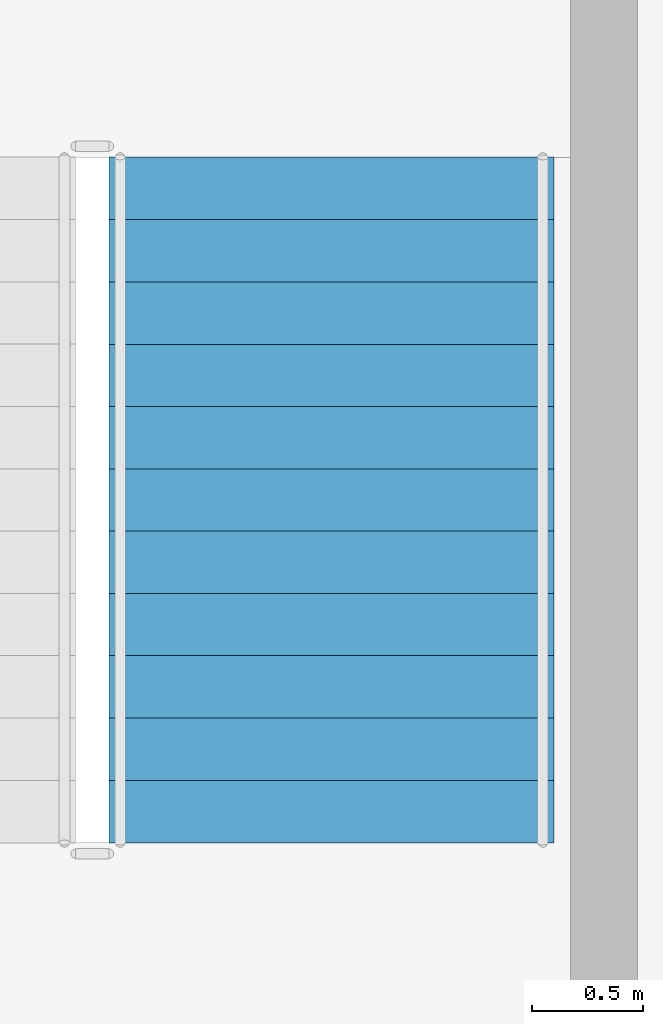
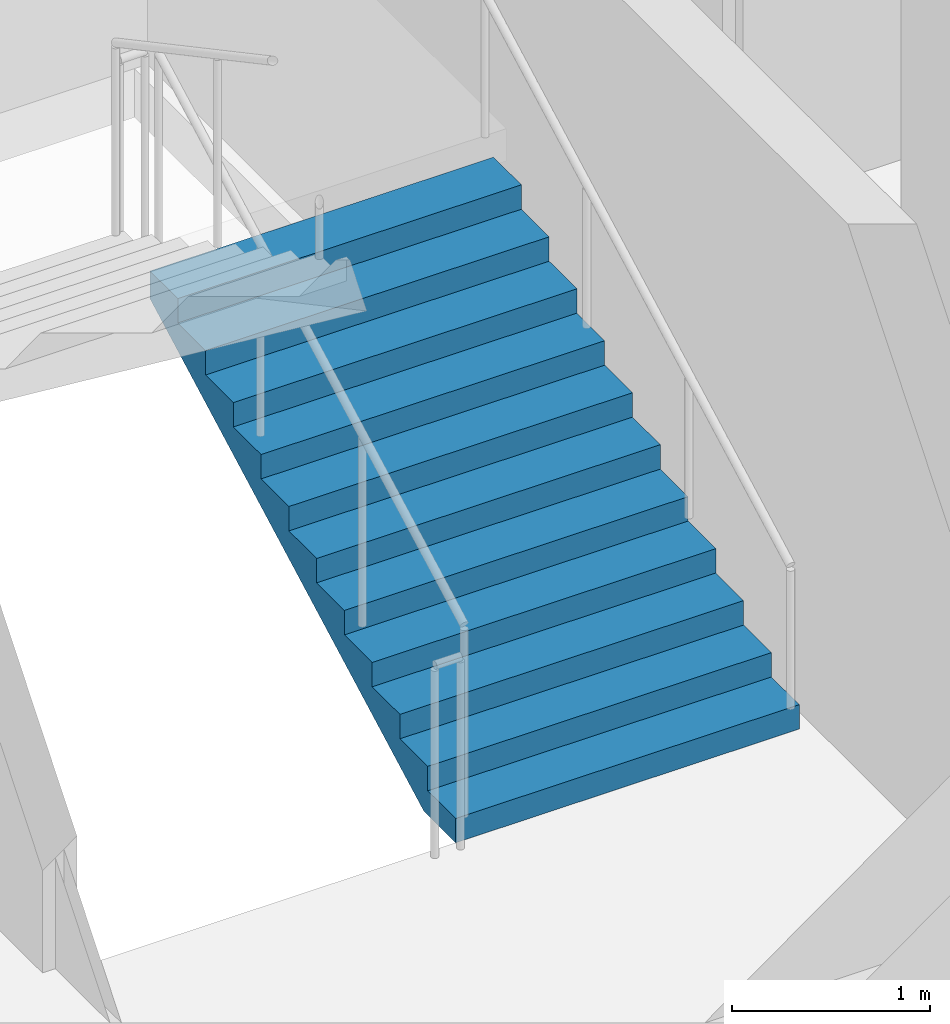
# One storey, part 13 of 16: 1 stair flight, 1 element without a shape of its own.
"""IFC4 building model written with IfcOpenShell, lengths in metres."""

from ifc_helpers import new_model, si_unit, direction, frame, origin, place, context, subcontext, project, spatial, polygons, material, type_object, element, aggregate, save


model = new_model("IFC4")

# Units and contexts
model_context = context("Model", 3, precision=1e-05, world=origin(), true_north=direction((0.0, 1.0)))
body_context = subcontext(model_context, "Body", "Model", "MODEL_VIEW")
ifc_project = project(units=[si_unit("LENGTHUNIT", "METRE"), si_unit("AREAUNIT", "SQUARE_METRE"), si_unit("VOLUMEUNIT", "CUBIC_METRE"), si_unit("PLANEANGLEUNIT", "RADIAN"), si_unit("MASSUNIT", "GRAM", prefix="KILO")], contexts=[model_context])

# Site, building, storey
site_placement = place(None, origin())
site = spatial("IfcSite", under=ifc_project, at=site_placement, CompositionType="ELEMENT")
building_placement = place(site_placement, origin())
building = spatial("IfcBuilding", under=site, at=building_placement, Name="Caravel Reach Hotel and Residences", CompositionType="ELEMENT")
storey_placement = place(building_placement, frame((0.0, 0.0, 133.199951171875)))
storey = spatial("IfcBuildingStorey", under=building, at=storey_placement, Name="L33", CompositionType="ELEMENT", Elevation=133.199951171875)

# Stair, stair flight
ifc_material_1 = material(Name="Concrete C40", Category="concrete")
stair_type = type_object("IfcStairType", Name="Core stair", PredefinedType="HALF_TURN_STAIR", material=ifc_material_1)
stair_placement = place(storey_placement, origin())
stair = element("IfcStair", 1, at=stair_placement, inside=storey, type_object=stair_type, Name="L33 Exit stair B", PredefinedType="HALF_TURN_STAIR")
ifc_material_2 = material(Name="Concrete C40", Category="concrete")
stair_flight_type = type_object("IfcStairFlightType", Name="Core stair flight", PredefinedType="STRAIGHT", material=ifc_material_2)
stair_flight_placement = place(storey_placement, frame((43.77490234375, 24.64990234375, 0.0), z_axis=(0.0, 0.0, 1.0), x_axis=(0.0, 1.0, 0.0)))
stair_flight = element("IfcStairFlight", 2, at=stair_flight_placement, type_object=stair_flight_type, Name="ST-B flight 1", NumberOfRisers=12, NumberOfTreads=11, PredefinedType="STRAIGHT", RiserHeight=0.15, TreadLength=0.28, context=body_context, shape_type="Tessellation", body=[
    polygons([(0.3174408016601862, 1.0, 0.0), (0.3174408016601862, 0.6666666666666667, 0.0), (0.3174408016601862, 0.33333333333333337, 0.0), (0.3174408016601862, 0.0, 0.0), (0.3174408016601862, -0.33333333333333326, 0.0), (0.3174408016601862, -0.6666666666666667, 0.0), (0.3174408016601862, -1.0, 0.0), (3.081, 1.0, 1.479942427682043), (3.081, 0.6666666666666667, 1.479942427682043), (3.081, 0.33333333333333337, 1.479942427682043), (3.081, 0.0, 1.479942427682043), (3.081, -0.33333333333333326, 1.479942427682043), (3.081, -0.6666666666666667, 1.479942427682043), (3.081, -1.0, 1.479942427682043), (3.081, 1.0, 1.65), (3.081, 0.6666666666666667, 1.65), (3.081, 0.33333333333333337, 1.65), (3.081, 0.0, 1.65), (3.081, -0.33333333333333326, 1.65), (3.081, -0.6666666666666667, 1.65), (3.081, -1.0, 1.65), (2.8000000000000003, 1.0, 1.65), (2.8000000000000003, 0.6666666666666667, 1.65), (2.8000000000000003, 0.33333333333333337, 1.65), (2.8000000000000003, 0.0, 1.65), (2.8000000000000003, -0.33333333333333326, 1.65), (2.8000000000000003, -0.6666666666666667, 1.65), (2.8000000000000003, -1.0, 1.65), (2.8000000000000003, 1.0, 1.5), (2.8000000000000003, 0.6666666666666667, 1.5), (2.8000000000000003, 0.33333333333333337, 1.5), (2.8000000000000003, 0.0, 1.5), (2.8000000000000003, -0.33333333333333326, 1.5), (2.8000000000000003, -0.6666666666666667, 1.5), (2.8000000000000003, -1.0, 1.5), (2.5200000000000005, 1.0, 1.5), (2.5200000000000005, 0.6666666666666667, 1.5), (2.5200000000000005, 0.33333333333333337, 1.5), (2.5200000000000005, 0.0, 1.5), (2.5200000000000005, -0.33333333333333326, 1.5), (2.5200000000000005, -0.6666666666666667, 1.5), (2.5200000000000005, -1.0, 1.5), (2.5200000000000005, 1.0, 1.3499999999999999), (2.5200000000000005, 0.6666666666666667, 1.3499999999999999), (2.5200000000000005, 0.33333333333333337, 1.3499999999999999), (2.5200000000000005, 0.0, 1.3499999999999999), (2.5200000000000005, -0.33333333333333326, 1.3499999999999999), (2.5200000000000005, -0.6666666666666667, 1.3499999999999999), (2.5200000000000005, -1.0, 1.3499999999999999), (2.24, 1.0, 1.3499999999999999), (2.24, 0.6666666666666667, 1.3499999999999999), (2.24, 0.33333333333333337, 1.3499999999999999), (2.24, 0.0, 1.3499999999999999), (2.24, -0.33333333333333326, 1.3499999999999999), (2.24, -0.6666666666666667, 1.3499999999999999), (2.24, -1.0, 1.3499999999999999), (2.24, 1.0, 1.2), (2.24, 0.6666666666666667, 1.2), (2.24, 0.33333333333333337, 1.2), (2.24, 0.0, 1.2), (2.24, -0.33333333333333326, 1.2), (2.24, -0.6666666666666667, 1.2), (2.24, -1.0, 1.2), (1.9600000000000002, 1.0, 1.2), (1.9600000000000002, 0.6666666666666667, 1.2), (1.9600000000000002, 0.33333333333333337, 1.2), (1.9600000000000002, 0.0, 1.2), (1.9600000000000002, -0.33333333333333326, 1.2), (1.9600000000000002, -0.6666666666666667, 1.2), (1.9600000000000002, -1.0, 1.2), (1.9600000000000002, 1.0, 1.05), (1.9600000000000002, 0.6666666666666667, 1.05), (1.9600000000000002, 0.33333333333333337, 1.05), (1.9600000000000002, 0.0, 1.05), (1.9600000000000002, -0.33333333333333326, 1.05), (1.9600000000000002, -0.6666666666666667, 1.05), (1.9600000000000002, -1.0, 1.05), (1.6800000000000002, 1.0, 1.05), (1.6800000000000002, 0.6666666666666667, 1.05), (1.6800000000000002, 0.33333333333333337, 1.05), (1.6800000000000002, 0.0, 1.05), (1.6800000000000002, -0.33333333333333326, 1.05), (1.6800000000000002, -0.6666666666666667, 1.05), (1.6800000000000002, -1.0, 1.05), (1.6800000000000002, 1.0, 0.8999999999999999), (1.6800000000000002, 0.6666666666666667, 0.8999999999999999), (1.6800000000000002, 0.33333333333333337, 0.8999999999999999), (1.6800000000000002, 0.0, 0.8999999999999999), (1.6800000000000002, -0.33333333333333326, 0.8999999999999999), (1.6800000000000002, -0.6666666666666667, 0.8999999999999999), (1.6800000000000002, -1.0, 0.8999999999999999), (1.4000000000000001, 1.0, 0.8999999999999999), (1.4000000000000001, 0.6666666666666667, 0.8999999999999999), (1.4000000000000001, 0.33333333333333337, 0.8999999999999999), (1.4000000000000001, 0.0, 0.8999999999999999), (1.4000000000000001, -0.33333333333333326, 0.8999999999999999), (1.4000000000000001, -0.6666666666666667, 0.8999999999999999), (1.4000000000000001, -1.0, 0.8999999999999999), (1.4000000000000001, 1.0, 0.75), (1.4000000000000001, 0.6666666666666667, 0.75), (1.4000000000000001, 0.33333333333333337, 0.75), (1.4000000000000001, 0.0, 0.75), (1.4000000000000001, -0.33333333333333326, 0.75), (1.4000000000000001, -0.6666666666666667, 0.75), (1.4000000000000001, -1.0, 0.75), (1.12, 1.0, 0.75), (1.12, 0.6666666666666667, 0.75), (1.12, 0.33333333333333337, 0.75), (1.12, 0.0, 0.75), (1.12, -0.33333333333333326, 0.75), (1.12, -0.6666666666666667, 0.75), (1.12, -1.0, 0.75), (1.12, 1.0, 0.6), (1.12, 0.6666666666666667, 0.6), (1.12, 0.33333333333333337, 0.6), (1.12, 0.0, 0.6), (1.12, -0.33333333333333326, 0.6), (1.12, -0.6666666666666667, 0.6), (1.12, -1.0, 0.6), (0.8400000000000001, 1.0, 0.6), (0.8400000000000001, 0.6666666666666667, 0.6), (0.8400000000000001, 0.33333333333333337, 0.6), (0.8400000000000001, 0.0, 0.6), (0.8400000000000001, -0.33333333333333326, 0.6), (0.8400000000000001, -0.6666666666666667, 0.6), (0.8400000000000001, -1.0, 0.6), (0.8400000000000001, 1.0, 0.44999999999999996), (0.8400000000000001, 0.6666666666666667, 0.44999999999999996), (0.8400000000000001, 0.33333333333333337, 0.44999999999999996), (0.8400000000000001, 0.0, 0.44999999999999996), (0.8400000000000001, -0.33333333333333326, 0.44999999999999996), (0.8400000000000001, -0.6666666666666667, 0.44999999999999996), (0.8400000000000001, -1.0, 0.44999999999999996), (0.56, 1.0, 0.44999999999999996), (0.56, 0.6666666666666667, 0.44999999999999996), (0.56, 0.33333333333333337, 0.44999999999999996), (0.56, 0.0, 0.44999999999999996), (0.56, -0.33333333333333326, 0.44999999999999996), (0.56, -0.6666666666666667, 0.44999999999999996), (0.56, -1.0, 0.44999999999999996), (0.56, 1.0, 0.3), (0.56, 0.6666666666666667, 0.3), (0.56, 0.33333333333333337, 0.3), (0.56, 0.0, 0.3), (0.56, -0.33333333333333326, 0.3), (0.56, -0.6666666666666667, 0.3), (0.56, -1.0, 0.3), (0.28, 1.0, 0.3), (0.28, 0.6666666666666667, 0.3), (0.28, 0.33333333333333337, 0.3), (0.28, 0.0, 0.3), (0.28, -0.33333333333333326, 0.3), (0.28, -0.6666666666666667, 0.3), (0.28, -1.0, 0.3), (0.28, 1.0, 0.15), (0.28, 0.6666666666666667, 0.15), (0.28, 0.33333333333333337, 0.15), (0.28, 0.0, 0.15), (0.28, -0.33333333333333326, 0.15), (0.28, -0.6666666666666667, 0.15), (0.28, -1.0, 0.15), (-0.001, 1.0, 0.15), (-0.001, 0.6666666666666667, 0.15), (-0.001, 0.33333333333333337, 0.15), (-0.001, 0.0, 0.15), (-0.001, -0.33333333333333326, 0.15), (-0.001, -0.6666666666666667, 0.15), (-0.001, -1.0, 0.15), (-0.001, 1.0, 0.0), (-0.001, 0.6666666666666667, 0.0), (-0.001, 0.33333333333333337, 0.0), (-0.001, 0.0, 0.0), (-0.001, -0.33333333333333326, 0.0), (-0.001, -0.6666666666666667, 0.0), (-0.001, -1.0, 0.0)], [[[169, 162, 155, 148, 141, 134, 127, 120, 113, 106, 99, 92, 85, 78, 71, 64, 57, 50, 43, 36, 29, 22, 15, 8, 1]], [[7, 14, 21, 28, 35, 42, 49, 56, 63, 70, 77, 84, 91, 98, 105, 112, 119, 126, 133, 140, 147, 154, 161, 168, 175]], [[1, 8, 9, 2]], [[2, 9, 10, 3]], [[3, 10, 11, 4]], [[4, 11, 12, 5]], [[5, 12, 13, 6]], [[6, 13, 14, 7]], [[8, 15, 16, 9]], [[9, 16, 17, 10]], [[10, 17, 18, 11]], [[11, 18, 19, 12]], [[12, 19, 20, 13]], [[13, 20, 21, 14]], [[15, 22, 23, 16]], [[16, 23, 24, 17]], [[17, 24, 25, 18]], [[18, 25, 26, 19]], [[19, 26, 27, 20]], [[20, 27, 28, 21]], [[22, 29, 30, 23]], [[23, 30, 31, 24]], [[24, 31, 32, 25]], [[25, 32, 33, 26]], [[26, 33, 34, 27]], [[27, 34, 35, 28]], [[29, 36, 37, 30]], [[30, 37, 38, 31]], [[31, 38, 39, 32]], [[32, 39, 40, 33]], [[33, 40, 41, 34]], [[34, 41, 42, 35]], [[36, 43, 44, 37]], [[37, 44, 45, 38]], [[38, 45, 46, 39]], [[39, 46, 47, 40]], [[40, 47, 48, 41]], [[41, 48, 49, 42]], [[43, 50, 51, 44]], [[44, 51, 52, 45]], [[45, 52, 53, 46]], [[46, 53, 54, 47]], [[47, 54, 55, 48]], [[48, 55, 56, 49]], [[50, 57, 58, 51]], [[51, 58, 59, 52]], [[52, 59, 60, 53]], [[53, 60, 61, 54]], [[54, 61, 62, 55]], [[55, 62, 63, 56]], [[57, 64, 65, 58]], [[58, 65, 66, 59]], [[59, 66, 67, 60]], [[60, 67, 68, 61]], [[61, 68, 69, 62]], [[62, 69, 70, 63]], [[64, 71, 72, 65]], [[65, 72, 73, 66]], [[66, 73, 74, 67]], [[67, 74, 75, 68]], [[68, 75, 76, 69]], [[69, 76, 77, 70]], [[71, 78, 79, 72]], [[72, 79, 80, 73]], [[73, 80, 81, 74]], [[74, 81, 82, 75]], [[75, 82, 83, 76]], [[76, 83, 84, 77]], [[78, 85, 86, 79]], [[79, 86, 87, 80]], [[80, 87, 88, 81]], [[81, 88, 89, 82]], [[82, 89, 90, 83]], [[83, 90, 91, 84]], [[85, 92, 93, 86]], [[86, 93, 94, 87]], [[87, 94, 95, 88]], [[88, 95, 96, 89]], [[89, 96, 97, 90]], [[90, 97, 98, 91]], [[92, 99, 100, 93]], [[93, 100, 101, 94]], [[94, 101, 102, 95]], [[95, 102, 103, 96]], [[96, 103, 104, 97]], [[97, 104, 105, 98]], [[99, 106, 107, 100]], [[100, 107, 108, 101]], [[101, 108, 109, 102]], [[102, 109, 110, 103]], [[103, 110, 111, 104]], [[104, 111, 112, 105]], [[106, 113, 114, 107]], [[107, 114, 115, 108]], [[108, 115, 116, 109]], [[109, 116, 117, 110]], [[110, 117, 118, 111]], [[111, 118, 119, 112]], [[113, 120, 121, 114]], [[114, 121, 122, 115]], [[115, 122, 123, 116]], [[116, 123, 124, 117]], [[117, 124, 125, 118]], [[118, 125, 126, 119]], [[120, 127, 128, 121]], [[121, 128, 129, 122]], [[122, 129, 130, 123]], [[123, 130, 131, 124]], [[124, 131, 132, 125]], [[125, 132, 133, 126]], [[127, 134, 135, 128]], [[128, 135, 136, 129]], [[129, 136, 137, 130]], [[130, 137, 138, 131]], [[131, 138, 139, 132]], [[132, 139, 140, 133]], [[134, 141, 142, 135]], [[135, 142, 143, 136]], [[136, 143, 144, 137]], [[137, 144, 145, 138]], [[138, 145, 146, 139]], [[139, 146, 147, 140]], [[141, 148, 149, 142]], [[142, 149, 150, 143]], [[143, 150, 151, 144]], [[144, 151, 152, 145]], [[145, 152, 153, 146]], [[146, 153, 154, 147]], [[148, 155, 156, 149]], [[149, 156, 157, 150]], [[150, 157, 158, 151]], [[151, 158, 159, 152]], [[152, 159, 160, 153]], [[153, 160, 161, 154]], [[155, 162, 163, 156]], [[156, 163, 164, 157]], [[157, 164, 165, 158]], [[158, 165, 166, 159]], [[159, 166, 167, 160]], [[160, 167, 168, 161]], [[162, 169, 170, 163]], [[163, 170, 171, 164]], [[164, 171, 172, 165]], [[165, 172, 173, 166]], [[166, 173, 174, 167]], [[167, 174, 175, 168]], [[169, 1, 2, 170]], [[170, 2, 3, 171]], [[171, 3, 4, 172]], [[172, 4, 5, 173]], [[173, 5, 6, 174]], [[174, 6, 7, 175]]], closed=True),
])
aggregate(stair, [stair_flight])

save(model, "model.ifc")
